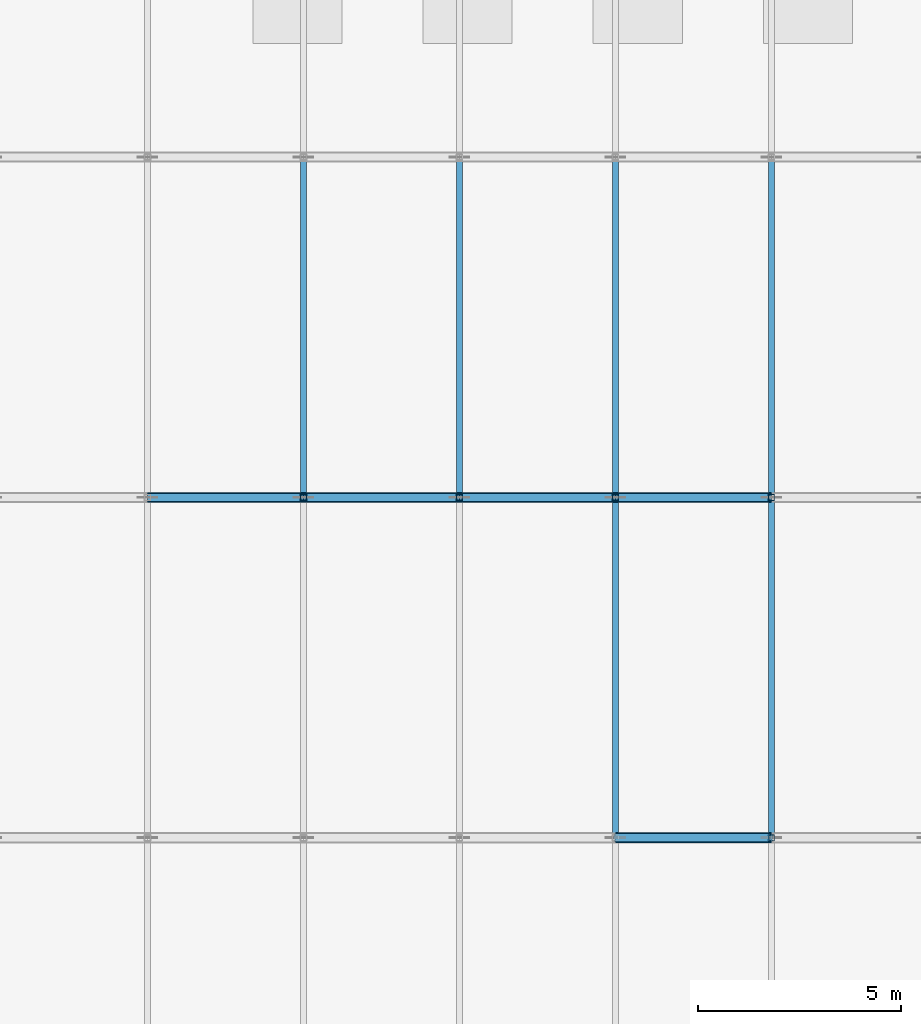
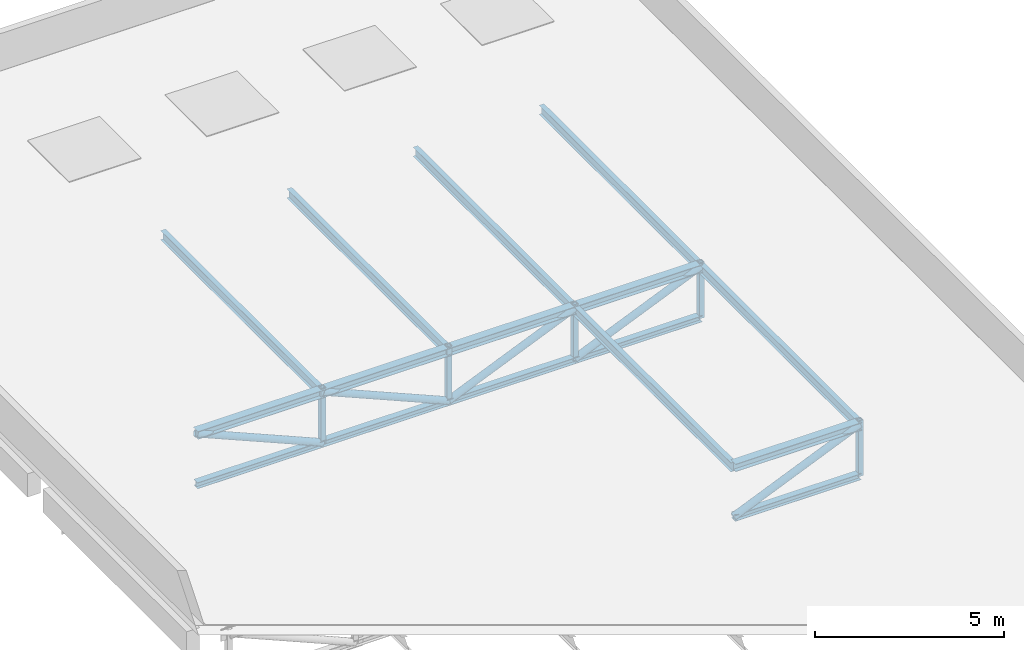
# One storey, part 17 of 38: 26 members.
"""IFC4 building model written with IfcOpenShell, lengths in metres."""

import ifcopenshell
import ifcopenshell.guid

model = None  # the IFC model being written
_history = None  # IfcOwnerHistory: only IFC2X3 demands one
_inside = {}  # id of a spatial element -> (the spatial element, [elements in it])
_under = {}  # id of a project, library or spatial element -> (it, [spatial elements below it])
_declared = {}  # id of a project -> (the project, [libraries it declares])
_typed = {}  # id of a type object -> (the type object, [elements of that type])
_made_of = {}  # id of a material, layer set ... -> (it, [elements and type objects made of it])


def new_model(schema):
    """Start an empty IFC model of exactly this schema.

    Asked for "IFC4X3", IfcOpenShell would pick the latest addendum, in which some entities
    have other attributes; the version numbers below select the first issue.
    IFC2X3 requires an IfcOwnerHistory on every rooted entity: one is made here for all.
    """
    global model, _history
    if schema == "IFC4X3":
        model = ifcopenshell.file(schema_version=(4, 3, 0, 0))
    else:
        model = ifcopenshell.file(schema=schema)
    _inside.clear()
    _under.clear()
    _declared.clear()
    _typed.clear()
    _made_of.clear()
    _history = None
    if model.schema == "IFC2X3":
        org = make("IfcOrganization", Name="unknown")
        user = make(
            "IfcPersonAndOrganization",
            ThePerson=make("IfcPerson", FamilyName="unknown"),
            TheOrganization=org,
        )
        app = make(
            "IfcApplication",
            ApplicationDeveloper=org,
            Version="unknown",
            ApplicationFullName="unknown",
            ApplicationIdentifier="unknown",
        )
        _history = make(
            "IfcOwnerHistory",
            OwningUser=user,
            OwningApplication=app,
            ChangeAction="ADDED",
            CreationDate=0,
        )
    return model


def make(cls, **values):
    """One entity of the class cls with the attributes given. An attribute that is None is left unset."""
    return model.create_entity(
        cls, **{name: value for name, value in values.items() if value is not None}
    )


def rooted(cls, **values):
    """An entity with a GlobalId (a new one), such as an element, a storey or a relation."""
    return make(cls, GlobalId=ifcopenshell.guid.new(), OwnerHistory=_history, **values)


def si_unit(unit_type, name, prefix=None):
    """IfcSIUnit, for example si_unit("LENGTHUNIT", "METRE", prefix="MILLI")."""
    return make("IfcSIUnit", UnitType=unit_type, Prefix=prefix, Name=name)


def assignment(units):
    """IfcUnitAssignment: the units of a project."""
    return None if units is None else make("IfcUnitAssignment", Units=units)


def point(xyz):
    """IfcCartesianPoint."""
    return None if xyz is None else make("IfcCartesianPoint", Coordinates=xyz)


def direction(xyz):
    """IfcDirection."""
    return None if xyz is None else make("IfcDirection", DirectionRatios=xyz)


def frame(location, z_axis=None, x_axis=None):
    """IfcAxis2Placement3D, a coordinate frame: its origin and axes. An axis left out is left unset."""
    return make(
        "IfcAxis2Placement3D",
        Location=point(location),
        Axis=direction(z_axis),
        RefDirection=direction(x_axis),
    )


def frame_2d(location, x_axis=None):
    """IfcAxis2Placement2D, a coordinate frame in the plane: its origin and x axis."""
    return make(
        "IfcAxis2Placement2D", Location=point(location), RefDirection=direction(x_axis)
    )


def origin():
    """The frame at (0, 0, 0) with its axes left unset."""
    return frame((0.0, 0.0, 0.0))


def origin_2d():
    """The frame at (0, 0) in the plane with its x axis left unset."""
    return frame_2d((0.0, 0.0))


def place(relative_to, where):
    """IfcLocalPlacement: puts the frame where relative to a parent placement (None: the world)."""
    return make(
        "IfcLocalPlacement", PlacementRelTo=relative_to, RelativePlacement=where
    )


def context(
    kind, dimensions, precision=None, world=None, true_north=None, identifier=None
):
    """IfcGeometricRepresentationContext, for example the 3D "Model" context."""
    return make(
        "IfcGeometricRepresentationContext",
        ContextIdentifier=identifier,
        ContextType=kind,
        CoordinateSpaceDimension=dimensions,
        Precision=precision,
        WorldCoordinateSystem=world,
        TrueNorth=true_north,
    )


def subcontext(parent, identifier, kind, view, scale=None):
    """IfcGeometricRepresentationSubContext, for example "Body" below "Model"."""
    return make(
        "IfcGeometricRepresentationSubContext",
        ContextIdentifier=identifier,
        ContextType=kind,
        ParentContext=parent,
        TargetScale=scale,
        TargetView=view,
    )


def project(units=None, contexts=None):
    """IfcProject with its units and contexts."""
    return rooted(
        "IfcProject",
        Name="project",
        RepresentationContexts=contexts,
        UnitsInContext=assignment(units),
    )


def spatial(cls, under=None, at=None, **own):
    """A site, building, storey or space (cls), placed at a placement, below another one or the project."""
    s = rooted(cls, ObjectPlacement=at, **own)
    if under is not None:
        _under.setdefault(under.id(), (under, []))[1].append(s)
    return s


def profile(cls, at=None, kind="AREA", **sizes):
    """A parametric profile (cls). Its sizes go by their IFC names, for example OverallWidth=200.0."""
    return make(cls, ProfileType=kind, Position=at, **sizes)


def hollow_rectangle(**sizes):
    """IfcRectangleHollowProfileDef."""
    return profile("IfcRectangleHollowProfileDef", **sizes)


def hollow_circle(**sizes):
    """IfcCircleHollowProfileDef."""
    return profile("IfcCircleHollowProfileDef", **sizes)


def i_section(**sizes):
    """IfcIShapeProfileDef."""
    return profile("IfcIShapeProfileDef", **sizes)


def extrude(swept, where, along, depth):
    """IfcExtrudedAreaSolid: the profile swept, set in the frame where, extruded along a direction by depth."""
    return make(
        "IfcExtrudedAreaSolid",
        SweptArea=swept,
        Position=where,
        ExtrudedDirection=direction(along),
        Depth=depth,
    )


def shape(context_of_items, identifier, shape_type, items):
    """IfcShapeRepresentation: the items that make up one representation, for example the "Body"."""
    return make(
        "IfcShapeRepresentation",
        ContextOfItems=context_of_items,
        RepresentationIdentifier=identifier,
        RepresentationType=shape_type,
        Items=items,
    )


def material(Name=None, Category=None):
    """IfcMaterial."""
    return make("IfcMaterial", Name=Name, Category=Category)


def material_profile(
    of_material, cross_section, Name=None, Category=None, Priority=None
):
    """IfcMaterialProfile: a cross section and its material."""
    return make(
        "IfcMaterialProfile",
        Name=Name,
        Material=of_material,
        Profile=cross_section,
        Priority=Priority,
        Category=Category,
    )


def profile_set(profiles, Name=None, composite=None):
    """IfcMaterialProfileSet."""
    return make(
        "IfcMaterialProfileSet",
        Name=Name,
        MaterialProfiles=profiles,
        CompositeProfile=composite,
    )


def made_of(thing, what):
    """Note that an element or type object is made of a material, layer set ...; save() writes the relation."""
    if what is not None:
        _made_of.setdefault(what.id(), (what, []))[1].append(thing)
    return thing


def type_object(cls, material=None, **own):
    """A type object (cls), such as IfcWallType, which elements share."""
    return made_of(rooted(cls, **own), material)


def element(
    cls,
    number,
    at=None,
    inside=None,
    cuts=None,
    type_object=None,
    material=None,
    context=None,
    identifier="Body",
    shape_type=None,
    held_by="IfcProductDefinitionShape",
    body=None,
    shapes=None,
    **own,
):
    """One element of the class cls, such as IfcWall. Its Tag is "e" and its number.

    at: its placement. inside: the storey or other place that contains it. cuts: it is an
    opening in that element (IfcRelVoidsElement). A single representation is given by context,
    identifier, shape_type and body (its items); several are given by shapes. held_by: the class
    of the entity that holds the representations. save() writes the other relations.
    """
    e = rooted(cls, Tag="e%d" % number, ObjectPlacement=at, **own)
    if body is not None:
        shapes = [shape(context, identifier, shape_type, body)]
    if shapes is not None:
        e.Representation = make(held_by, Representations=shapes)
    if inside is not None:
        _inside.setdefault(inside.id(), (inside, []))[1].append(e)
    if cuts is not None:
        rooted(
            "IfcRelVoidsElement", RelatingBuildingElement=cuts, RelatedOpeningElement=e
        )
    if type_object is not None:
        _typed.setdefault(type_object.id(), (type_object, []))[1].append(e)
    return made_of(e, material)


def aggregate(whole, parts):
    """IfcRelAggregates: a whole, such as a stair, and the parts it consists of."""
    return rooted("IfcRelAggregates", RelatingObject=whole, RelatedObjects=parts)


def save(model, path):
    """Write the relations noted so far, then the file.

    IfcRelAggregates (storeys below a building ...), IfcRelContainedInSpatialStructure (elements
    in a storey), IfcRelDefinesByType, IfcRelAssociatesMaterial and IfcRelDeclares: one each for
    every whole, place, type object, material and project.
    """
    for whole, parts in _under.values():
        aggregate(whole, parts)
    for where, things in _inside.values():
        rooted(
            "IfcRelContainedInSpatialStructure",
            RelatedElements=things,
            RelatingStructure=where,
        )
    for kind, things in _typed.values():
        rooted("IfcRelDefinesByType", RelatedObjects=things, RelatingType=kind)
    for what, things in _made_of.values():
        rooted("IfcRelAssociatesMaterial", RelatedObjects=things, RelatingMaterial=what)
    for by, libraries in _declared.values():
        rooted("IfcRelDeclares", RelatingContext=by, RelatedDefinitions=libraries)
    model.write(path)


model = new_model("IFC4")

# Units and contexts
model_context = context("Model", 3, precision=1e-05, world=origin(), true_north=direction((0.0, 1.0)))
body_context = subcontext(model_context, "Body", "Model", "MODEL_VIEW")
ifc_project = project(units=[si_unit("LENGTHUNIT", "METRE"), si_unit("AREAUNIT", "SQUARE_METRE"), si_unit("VOLUMEUNIT", "CUBIC_METRE"), si_unit("PLANEANGLEUNIT", "RADIAN"), si_unit("MASSUNIT", "GRAM", prefix="KILO")], contexts=[model_context])

# Site, building, storey
site_placement = place(None, origin())
site = spatial("IfcSite", under=ifc_project, at=site_placement, CompositionType="ELEMENT")
building_placement = place(site_placement, origin())
building = spatial("IfcBuilding", under=site, at=building_placement, Name="Brinegate Botanical Conservatory", CompositionType="ELEMENT")
storey_placement = place(building_placement, frame((0.0, 0.0, 10.199951171875)))
storey = spatial("IfcBuildingStorey", under=building, at=storey_placement, Name="L03", CompositionType="ELEMENT", Elevation=10.199951171875)

# Members
ifc_material = material(Name="Structural steel Q355B / S355", Category="steel")
ifc_material_profile_1 = material_profile(ifc_material, hollow_circle(Radius=0.109619140625, WallThickness=0.010009765625, at=origin_2d()), Name="CHS 219x10")
ifc_profile_set_1 = profile_set([ifc_material_profile_1], Name="Structural steel Q355B / S355")
member_type_1 = type_object("IfcMemberType", Name="Member_TB-01", PredefinedType="BRACE", material=ifc_profile_set_1)
member_1_placement = place(storey_placement, frame((155.050048828125, 16.800048828125, -2.0), z_axis=(0.919990867405, 0.0, 0.39193979626), x_axis=(0.0, 1.0, 0.0)))
element("IfcMember", 1, at=member_1_placement, inside=storey, type_object=member_type_1, Name="Auditorium roof truss 2 web diagonal 5", PredefinedType="BRACE", context=body_context, shape_type="SweptSolid", body=[
    extrude(hollow_circle(Radius=0.109619140625, WallThickness=0.010009765625, at=origin_2d()), origin(), (0.0, 0.0, 1.0), 4.1845703125),
])
member_2_placement = place(storey_placement, frame((143.5, 25.199951171875, -0.35986328125), z_axis=(0.919999828954, 0.0, -0.391918760362), x_axis=(0.0, 1.0, 0.0)))
element("IfcMember", 2, at=member_2_placement, inside=storey, type_object=member_type_1, Name="Auditorium roof truss 3 web diagonal 2", PredefinedType="BRACE", context=body_context, shape_type="SweptSolid", body=[
    extrude(hollow_circle(Radius=0.109619140625, WallThickness=0.010009765625, at=origin_2d()), origin(), (0.0, 0.0, 1.0), 4.184814453125),
])
member_3_placement = place(storey_placement, frame((147.35009765625, 25.199951171875, -0.35986328125), z_axis=(0.919990867405, 0.0, -0.39193979626), x_axis=(0.0, 1.0, 0.0)))
element("IfcMember", 3, at=member_3_placement, inside=storey, type_object=member_type_1, Name="Auditorium roof truss 3 web diagonal 3", PredefinedType="BRACE", context=body_context, shape_type="SweptSolid", body=[
    extrude(hollow_circle(Radius=0.109619140625, WallThickness=0.010009765625, at=origin_2d()), origin(), (0.0, 0.0, 1.0), 4.1845703125),
])
member_4_placement = place(storey_placement, frame((151.199951171875, 25.199951171875, -2.0), z_axis=(0.919999828954, 0.0, 0.391918760362), x_axis=(0.0, 1.0, 0.0)))
element("IfcMember", 4, at=member_4_placement, inside=storey, type_object=member_type_1, Name="Auditorium roof truss 3 web diagonal 4", PredefinedType="BRACE", context=body_context, shape_type="SweptSolid", body=[
    extrude(hollow_circle(Radius=0.109619140625, WallThickness=0.010009765625, at=origin_2d()), origin(), (0.0, 0.0, 1.0), 4.184814453125),
])
member_5_placement = place(storey_placement, frame((155.050048828125, 25.199951171875, -2.0), z_axis=(0.919990867405, 0.0, 0.39193979626), x_axis=(0.0, 1.0, 0.0)))
element("IfcMember", 5, at=member_5_placement, inside=storey, type_object=member_type_1, Name="Auditorium roof truss 3 web diagonal 5", PredefinedType="BRACE", context=body_context, shape_type="SweptSolid", body=[
    extrude(hollow_circle(Radius=0.109619140625, WallThickness=0.010009765625, at=origin_2d()), origin(), (0.0, 0.0, 1.0), 4.1845703125),
])
ifc_material_profile_2 = material_profile(ifc_material, i_section(OverallWidth=0.25, OverallDepth=0.25, WebThickness=0.009033203125, FlangeThickness=0.013916015625, at=origin_2d()), Name="HW 250x250x9x14")
ifc_profile_set_2 = profile_set([ifc_material_profile_2], Name="Structural steel Q355B / S355")
member_type_2 = type_object("IfcMemberType", Name="Member_TC-01", PredefinedType="CHORD", material=ifc_profile_set_2)
member_6_placement = place(storey_placement, frame((155.050048828125, 16.800048828125, -0.35986328125), z_axis=(1.0, 0.0, 0.0), x_axis=(0.0, 1.0, 0.0)))
element("IfcMember", 6, at=member_6_placement, inside=storey, type_object=member_type_2, Name="Auditorium roof truss 2 top chord 5", PredefinedType="CHORD", context=body_context, shape_type="SweptSolid", body=[
    extrude(i_section(OverallWidth=0.25, OverallDepth=0.25, WebThickness=0.009033203125, FlangeThickness=0.013916015625, at=origin_2d()), origin(), (0.0, 0.0, 1.0), 3.849853515625),
])
member_7_placement = place(storey_placement, frame((143.5, 25.199951171875, -0.35986328125), z_axis=(1.0, 0.0, 0.0), x_axis=(0.0, 1.0, 0.0)))
element("IfcMember", 7, at=member_7_placement, inside=storey, type_object=member_type_2, Name="Auditorium roof truss 3 top chord 2", PredefinedType="CHORD", context=body_context, shape_type="SweptSolid", body=[
    extrude(i_section(OverallWidth=0.25, OverallDepth=0.25, WebThickness=0.009033203125, FlangeThickness=0.013916015625, at=origin_2d()), origin(), (0.0, 0.0, 1.0), 3.85009765625),
])
member_8_placement = place(storey_placement, frame((147.35009765625, 25.199951171875, -0.35986328125), z_axis=(1.0, 0.0, 0.0), x_axis=(0.0, 1.0, 0.0)))
element("IfcMember", 8, at=member_8_placement, inside=storey, type_object=member_type_2, Name="Auditorium roof truss 3 top chord 3", PredefinedType="CHORD", context=body_context, shape_type="SweptSolid", body=[
    extrude(i_section(OverallWidth=0.25, OverallDepth=0.25, WebThickness=0.009033203125, FlangeThickness=0.013916015625, at=origin_2d()), origin(), (0.0, 0.0, 1.0), 3.849853515625),
])
member_9_placement = place(storey_placement, frame((151.199951171875, 25.199951171875, -0.35986328125), z_axis=(1.0, 0.0, 0.0), x_axis=(0.0, 1.0, 0.0)))
element("IfcMember", 9, at=member_9_placement, inside=storey, type_object=member_type_2, Name="Auditorium roof truss 3 top chord 4", PredefinedType="CHORD", context=body_context, shape_type="SweptSolid", body=[
    extrude(i_section(OverallWidth=0.25, OverallDepth=0.25, WebThickness=0.009033203125, FlangeThickness=0.013916015625, at=origin_2d()), origin(), (0.0, 0.0, 1.0), 3.85009765625),
])
member_10_placement = place(storey_placement, frame((155.050048828125, 25.199951171875, -0.35986328125), z_axis=(1.0, 0.0, 0.0), x_axis=(0.0, 1.0, 0.0)))
element("IfcMember", 10, at=member_10_placement, inside=storey, type_object=member_type_2, Name="Auditorium roof truss 3 top chord 5", PredefinedType="CHORD", context=body_context, shape_type="SweptSolid", body=[
    extrude(i_section(OverallWidth=0.25, OverallDepth=0.25, WebThickness=0.009033203125, FlangeThickness=0.013916015625, at=origin_2d()), origin(), (0.0, 0.0, 1.0), 3.849853515625),
])
ifc_material_profile_3 = material_profile(ifc_material, i_section(OverallWidth=0.199951171875, OverallDepth=0.199951171875, WebThickness=0.008056640625, FlangeThickness=0.011962890625, at=origin_2d()), Name="HW 200x200x8x12")
ifc_profile_set_3 = profile_set([ifc_material_profile_3], Name="Structural steel Q355B / S355")
member_type_3 = type_object("IfcMemberType", Name="Member_TC-02", PredefinedType="CHORD", material=ifc_profile_set_3)
member_11_placement = place(storey_placement, frame((155.050048828125, 16.800048828125, -2.0), z_axis=(1.0, 0.0, 0.0), x_axis=(0.0, 1.0, 0.0)))
element("IfcMember", 11, at=member_11_placement, inside=storey, type_object=member_type_3, Name="Auditorium roof truss 2 bottom chord 5", PredefinedType="CHORD", context=body_context, shape_type="SweptSolid", body=[
    extrude(i_section(OverallWidth=0.199951171875, OverallDepth=0.199951171875, WebThickness=0.008056640625, FlangeThickness=0.011962890625, at=origin_2d()), origin(), (0.0, 0.0, 1.0), 3.849853515625),
])
member_12_placement = place(storey_placement, frame((143.5, 25.199951171875, -2.0), z_axis=(1.0, 0.0, 0.0), x_axis=(0.0, 1.0, 0.0)))
element("IfcMember", 12, at=member_12_placement, inside=storey, type_object=member_type_3, Name="Auditorium roof truss 3 bottom chord 2", PredefinedType="CHORD", context=body_context, shape_type="SweptSolid", body=[
    extrude(i_section(OverallWidth=0.199951171875, OverallDepth=0.199951171875, WebThickness=0.008056640625, FlangeThickness=0.011962890625, at=origin_2d()), origin(), (0.0, 0.0, 1.0), 3.85009765625),
])
member_13_placement = place(storey_placement, frame((147.35009765625, 25.199951171875, -2.0), z_axis=(1.0, 0.0, 0.0), x_axis=(0.0, 1.0, 0.0)))
element("IfcMember", 13, at=member_13_placement, inside=storey, type_object=member_type_3, Name="Auditorium roof truss 3 bottom chord 3", PredefinedType="CHORD", context=body_context, shape_type="SweptSolid", body=[
    extrude(i_section(OverallWidth=0.199951171875, OverallDepth=0.199951171875, WebThickness=0.008056640625, FlangeThickness=0.011962890625, at=origin_2d()), origin(), (0.0, 0.0, 1.0), 3.849853515625),
])
member_14_placement = place(storey_placement, frame((151.199951171875, 25.199951171875, -2.0), z_axis=(1.0, 0.0, 0.0), x_axis=(0.0, 1.0, 0.0)))
element("IfcMember", 14, at=member_14_placement, inside=storey, type_object=member_type_3, Name="Auditorium roof truss 3 bottom chord 4", PredefinedType="CHORD", context=body_context, shape_type="SweptSolid", body=[
    extrude(i_section(OverallWidth=0.199951171875, OverallDepth=0.199951171875, WebThickness=0.008056640625, FlangeThickness=0.011962890625, at=origin_2d()), origin(), (0.0, 0.0, 1.0), 3.85009765625),
])
member_15_placement = place(storey_placement, frame((155.050048828125, 25.199951171875, -2.0), z_axis=(1.0, 0.0, 0.0), x_axis=(0.0, 1.0, 0.0)))
element("IfcMember", 15, at=member_15_placement, inside=storey, type_object=member_type_3, Name="Auditorium roof truss 3 bottom chord 5", PredefinedType="CHORD", context=body_context, shape_type="SweptSolid", body=[
    extrude(i_section(OverallWidth=0.199951171875, OverallDepth=0.199951171875, WebThickness=0.008056640625, FlangeThickness=0.011962890625, at=origin_2d()), origin(), (0.0, 0.0, 1.0), 3.849853515625),
])
ifc_material_profile_4 = material_profile(ifc_material, i_section(OverallWidth=0.14990234375, OverallDepth=0.300048828125, WebThickness=0.006591796875, FlangeThickness=0.009033203125, at=origin_2d()), Name="HN 300x150x6.5x9")
ifc_profile_set_4 = profile_set([ifc_material_profile_4], Name="Structural steel Q355B / S355")
member_type_4 = type_object("IfcMemberType", Name="Member_TP-01", PredefinedType="PURLIN", material=ifc_profile_set_4)
for number, where, z_axis, x_axis, name in (
    (16, (147.35009765625, 25.199951171875, -0.389892578125), (0.0, 1.0, 0.0), (-1.0, 0.0, 0.0), "Auditorium roof purlin TP-01 2.3"),
    (17, (151.199951171875, 25.199951171875, -0.389892578125), (0.0, 1.0, 0.0), (-1.0, 0.0, 0.0), "Auditorium roof purlin TP-01 3.3"),
):
    element("IfcMember", number, at=place(storey_placement, frame(where, z_axis=z_axis, x_axis=x_axis)), inside=storey, type_object=member_type_4, Name=name, PredefinedType="PURLIN", context=body_context, shape_type="SweptSolid", body=[
        extrude(i_section(OverallWidth=0.14990234375, OverallDepth=0.300048828125, WebThickness=0.006591796875, FlangeThickness=0.009033203125, at=origin_2d()), origin(), (0.0, 0.0, 1.0), 8.400146484375),
    ])
member_16_placement = place(storey_placement, frame((155.050048828125, 16.800048828125, -0.389892578125), z_axis=(0.0, 1.0, 0.0), x_axis=(-1.0, 0.0, 0.0)))
element("IfcMember", 18, at=member_16_placement, inside=storey, type_object=member_type_4, Name="Auditorium roof purlin TP-01 4.2", PredefinedType="PURLIN", context=body_context, shape_type="SweptSolid", body=[
    extrude(i_section(OverallWidth=0.14990234375, OverallDepth=0.300048828125, WebThickness=0.006591796875, FlangeThickness=0.009033203125, at=origin_2d()), origin(), (0.0, 0.0, 1.0), 8.39990234375),
])
member_17_placement = place(storey_placement, frame((155.050048828125, 25.199951171875, -0.389892578125), z_axis=(0.0, 1.0, 0.0), x_axis=(-1.0, 0.0, 0.0)))
element("IfcMember", 19, at=member_17_placement, inside=storey, type_object=member_type_4, Name="Auditorium roof purlin TP-01 4.3", PredefinedType="PURLIN", context=body_context, shape_type="SweptSolid", body=[
    extrude(i_section(OverallWidth=0.14990234375, OverallDepth=0.300048828125, WebThickness=0.006591796875, FlangeThickness=0.009033203125, at=origin_2d()), origin(), (0.0, 0.0, 1.0), 8.400146484375),
])
member_18_placement = place(storey_placement, frame((158.89990234375, 16.800048828125, -0.389892578125), z_axis=(0.0, 1.0, 0.0), x_axis=(-1.0, 0.0, 0.0)))
element("IfcMember", 20, at=member_18_placement, inside=storey, type_object=member_type_4, Name="Auditorium roof purlin TP-01 5.2", PredefinedType="PURLIN", context=body_context, shape_type="SweptSolid", body=[
    extrude(i_section(OverallWidth=0.14990234375, OverallDepth=0.300048828125, WebThickness=0.006591796875, FlangeThickness=0.009033203125, at=origin_2d()), origin(), (0.0, 0.0, 1.0), 8.39990234375),
])
member_19_placement = place(storey_placement, frame((158.89990234375, 25.199951171875, -0.389892578125), z_axis=(0.0, 1.0, 0.0), x_axis=(-1.0, 0.0, 0.0)))
element("IfcMember", 21, at=member_19_placement, inside=storey, type_object=member_type_4, Name="Auditorium roof purlin TP-01 5.3", PredefinedType="PURLIN", context=body_context, shape_type="SweptSolid", body=[
    extrude(i_section(OverallWidth=0.14990234375, OverallDepth=0.300048828125, WebThickness=0.006591796875, FlangeThickness=0.009033203125, at=origin_2d()), origin(), (0.0, 0.0, 1.0), 8.400146484375),
])
ifc_material_profile_5 = material_profile(ifc_material, hollow_rectangle(XDim=0.14990234375, YDim=0.14990234375, WallThickness=0.008056640625, at=origin_2d()), Name="SHS 150x150x8")
ifc_profile_set_5 = profile_set([ifc_material_profile_5], Name="Structural steel Q355B / S355")
member_type_5 = type_object("IfcMemberType", Name="Member_TS-01", PredefinedType="STRUT", material=ifc_profile_set_5)
for number, where, z_axis, x_axis, name in (
    (22, (158.89990234375, 16.800048828125, -2.0), (0.0, 0.0, 1.0), (1.0, 0.0, 0.0), "Auditorium roof truss 2 vertical strut 6"),
    (23, (147.35009765625, 25.199951171875, -2.0), (0.0, 0.0, 1.0), (1.0, 0.0, 0.0), "Auditorium roof truss 3 vertical strut 3"),
    (24, (151.199951171875, 25.199951171875, -2.0), (0.0, 0.0, 1.0), (1.0, 0.0, 0.0), "Auditorium roof truss 3 vertical strut 4"),
    (25, (155.050048828125, 25.199951171875, -2.0), (0.0, 0.0, 1.0), (1.0, 0.0, 0.0), "Auditorium roof truss 3 vertical strut 5"),
    (26, (158.89990234375, 25.199951171875, -2.0), (0.0, 0.0, 1.0), (1.0, 0.0, 0.0), "Auditorium roof truss 3 vertical strut 6"),
):
    element("IfcMember", number, at=place(storey_placement, frame(where, z_axis=z_axis, x_axis=x_axis)), inside=storey, type_object=member_type_5, Name=name, PredefinedType="STRUT", context=body_context, shape_type="SweptSolid", body=[
        extrude(hollow_rectangle(XDim=0.14990234375, YDim=0.14990234375, WallThickness=0.008056640625, at=origin_2d()), origin(), (0.0, 0.0, 1.0), 1.800048828125),
    ])

save(model, "model.ifc")
